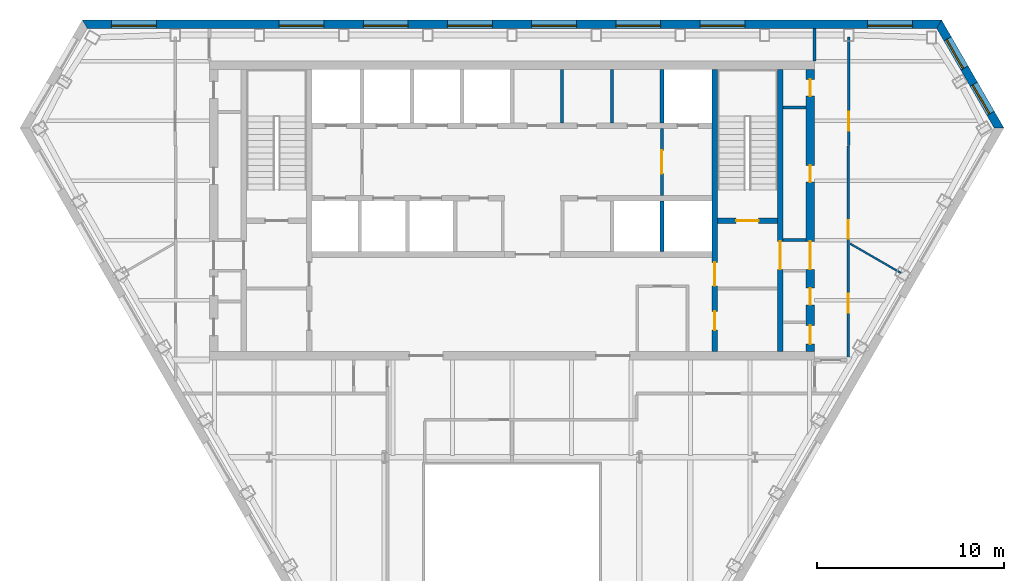
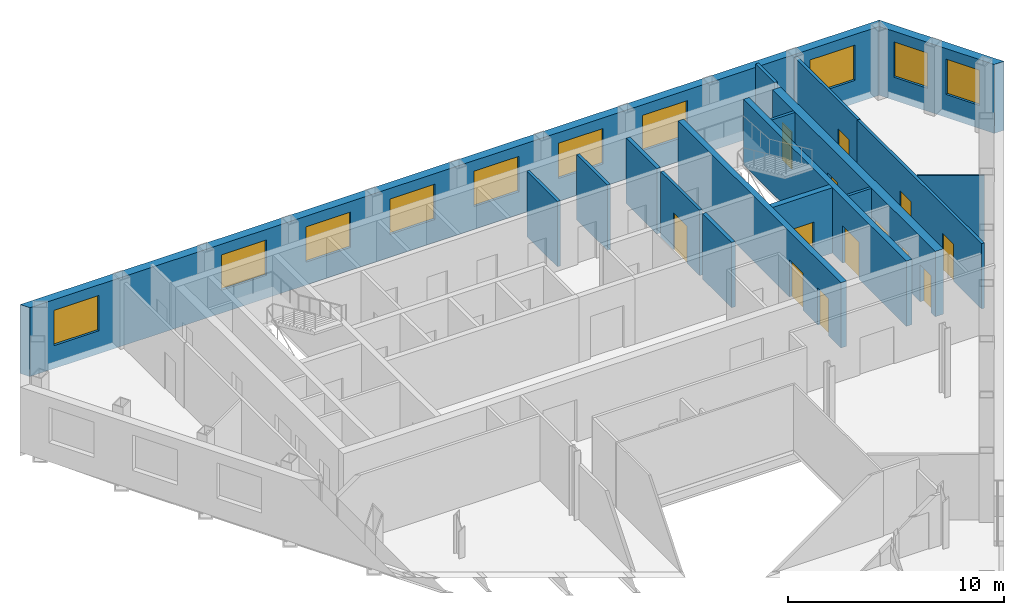
# One storey, part 7 of 10: 17 walls, 13 doors, 10 windows, 23 openings.
"""IFC4 building model written with IfcOpenShell, lengths in metres."""

import ifcopenshell
import ifcopenshell.guid

model = None  # the IFC model being written
_history = None  # IfcOwnerHistory: only IFC2X3 demands one
_inside = {}  # id of a spatial element -> (the spatial element, [elements in it])
_under = {}  # id of a project, library or spatial element -> (it, [spatial elements below it])
_declared = {}  # id of a project -> (the project, [libraries it declares])
_typed = {}  # id of a type object -> (the type object, [elements of that type])
_made_of = {}  # id of a material, layer set ... -> (it, [elements and type objects made of it])


def new_model(schema):
    """Start an empty IFC model of exactly this schema.

    Asked for "IFC4X3", IfcOpenShell would pick the latest addendum, in which some entities
    have other attributes; the version numbers below select the first issue.
    IFC2X3 requires an IfcOwnerHistory on every rooted entity: one is made here for all.
    """
    global model, _history
    if schema == "IFC4X3":
        model = ifcopenshell.file(schema_version=(4, 3, 0, 0))
    else:
        model = ifcopenshell.file(schema=schema)
    _inside.clear()
    _under.clear()
    _declared.clear()
    _typed.clear()
    _made_of.clear()
    _history = None
    if model.schema == "IFC2X3":
        org = make("IfcOrganization", Name="unknown")
        user = make(
            "IfcPersonAndOrganization",
            ThePerson=make("IfcPerson", FamilyName="unknown"),
            TheOrganization=org,
        )
        app = make(
            "IfcApplication",
            ApplicationDeveloper=org,
            Version="unknown",
            ApplicationFullName="unknown",
            ApplicationIdentifier="unknown",
        )
        _history = make(
            "IfcOwnerHistory",
            OwningUser=user,
            OwningApplication=app,
            ChangeAction="ADDED",
            CreationDate=0,
        )
    return model


def make(cls, **values):
    """One entity of the class cls with the attributes given. An attribute that is None is left unset."""
    return model.create_entity(
        cls, **{name: value for name, value in values.items() if value is not None}
    )


def rooted(cls, **values):
    """An entity with a GlobalId (a new one), such as an element, a storey or a relation."""
    return make(cls, GlobalId=ifcopenshell.guid.new(), OwnerHistory=_history, **values)


def si_unit(unit_type, name, prefix=None):
    """IfcSIUnit, for example si_unit("LENGTHUNIT", "METRE", prefix="MILLI")."""
    return make("IfcSIUnit", UnitType=unit_type, Prefix=prefix, Name=name)


def assignment(units):
    """IfcUnitAssignment: the units of a project."""
    return None if units is None else make("IfcUnitAssignment", Units=units)


def point(xyz):
    """IfcCartesianPoint."""
    return None if xyz is None else make("IfcCartesianPoint", Coordinates=xyz)


def direction(xyz):
    """IfcDirection."""
    return None if xyz is None else make("IfcDirection", DirectionRatios=xyz)


def frame(location, z_axis=None, x_axis=None):
    """IfcAxis2Placement3D, a coordinate frame: its origin and axes. An axis left out is left unset."""
    return make(
        "IfcAxis2Placement3D",
        Location=point(location),
        Axis=direction(z_axis),
        RefDirection=direction(x_axis),
    )


def frame_2d(location, x_axis=None):
    """IfcAxis2Placement2D, a coordinate frame in the plane: its origin and x axis."""
    return make(
        "IfcAxis2Placement2D", Location=point(location), RefDirection=direction(x_axis)
    )


def origin():
    """The frame at (0, 0, 0) with its axes left unset."""
    return frame((0.0, 0.0, 0.0))


def place(relative_to, where):
    """IfcLocalPlacement: puts the frame where relative to a parent placement (None: the world)."""
    return make(
        "IfcLocalPlacement", PlacementRelTo=relative_to, RelativePlacement=where
    )


def context(
    kind, dimensions, precision=None, world=None, true_north=None, identifier=None
):
    """IfcGeometricRepresentationContext, for example the 3D "Model" context."""
    return make(
        "IfcGeometricRepresentationContext",
        ContextIdentifier=identifier,
        ContextType=kind,
        CoordinateSpaceDimension=dimensions,
        Precision=precision,
        WorldCoordinateSystem=world,
        TrueNorth=true_north,
    )


def subcontext(parent, identifier, kind, view, scale=None):
    """IfcGeometricRepresentationSubContext, for example "Body" below "Model"."""
    return make(
        "IfcGeometricRepresentationSubContext",
        ContextIdentifier=identifier,
        ContextType=kind,
        ParentContext=parent,
        TargetScale=scale,
        TargetView=view,
    )


def project(units=None, contexts=None):
    """IfcProject with its units and contexts."""
    return rooted(
        "IfcProject",
        Name="project",
        RepresentationContexts=contexts,
        UnitsInContext=assignment(units),
    )


def spatial(cls, under=None, at=None, **own):
    """A site, building, storey or space (cls), placed at a placement, below another one or the project."""
    s = rooted(cls, ObjectPlacement=at, **own)
    if under is not None:
        _under.setdefault(under.id(), (under, []))[1].append(s)
    return s


def polyline(points):
    """IfcPolyline through the points."""
    return make("IfcPolyline", Points=[point(p) for p in points])


def profile(cls, at=None, kind="AREA", **sizes):
    """A parametric profile (cls). Its sizes go by their IFC names, for example OverallWidth=200.0."""
    return make(cls, ProfileType=kind, Position=at, **sizes)


def rectangle(**sizes):
    """IfcRectangleProfileDef."""
    return profile("IfcRectangleProfileDef", **sizes)


def outline(outer, holes=None, kind="AREA"):
    """IfcArbitraryClosedProfileDef: a profile drawn as a closed curve; with holes, ...WithVoids."""
    if holes is None:
        return make("IfcArbitraryClosedProfileDef", ProfileType=kind, OuterCurve=outer)
    return make(
        "IfcArbitraryProfileDefWithVoids",
        ProfileType=kind,
        OuterCurve=outer,
        InnerCurves=holes,
    )


def extrude(swept, where, along, depth):
    """IfcExtrudedAreaSolid: the profile swept, set in the frame where, extruded along a direction by depth."""
    return make(
        "IfcExtrudedAreaSolid",
        SweptArea=swept,
        Position=where,
        ExtrudedDirection=direction(along),
        Depth=depth,
    )


def shape(context_of_items, identifier, shape_type, items):
    """IfcShapeRepresentation: the items that make up one representation, for example the "Body"."""
    return make(
        "IfcShapeRepresentation",
        ContextOfItems=context_of_items,
        RepresentationIdentifier=identifier,
        RepresentationType=shape_type,
        Items=items,
    )


def material(Name=None, Category=None):
    """IfcMaterial."""
    return make("IfcMaterial", Name=Name, Category=Category)


def layer(
    of_material, thickness, ventilated=None, Name=None, Category=None, Priority=None
):
    """IfcMaterialLayer: one layer of a wall or slab, of a material (None: an air gap)."""
    return make(
        "IfcMaterialLayer",
        Material=of_material,
        LayerThickness=thickness,
        IsVentilated=ventilated,
        Name=Name,
        Category=Category,
        Priority=Priority,
    )


def layer_set(layers, Name=None):
    """IfcMaterialLayerSet."""
    return make("IfcMaterialLayerSet", MaterialLayers=layers, LayerSetName=Name)


def made_of(thing, what):
    """Note that an element or type object is made of a material, layer set ...; save() writes the relation."""
    if what is not None:
        _made_of.setdefault(what.id(), (what, []))[1].append(thing)
    return thing


def type_object(cls, material=None, **own):
    """A type object (cls), such as IfcWallType, which elements share."""
    return made_of(rooted(cls, **own), material)


def element(
    cls,
    number,
    at=None,
    inside=None,
    cuts=None,
    type_object=None,
    material=None,
    context=None,
    identifier="Body",
    shape_type=None,
    held_by="IfcProductDefinitionShape",
    body=None,
    shapes=None,
    **own,
):
    """One element of the class cls, such as IfcWall. Its Tag is "e" and its number.

    at: its placement. inside: the storey or other place that contains it. cuts: it is an
    opening in that element (IfcRelVoidsElement). A single representation is given by context,
    identifier, shape_type and body (its items); several are given by shapes. held_by: the class
    of the entity that holds the representations. save() writes the other relations.
    """
    e = rooted(cls, Tag="e%d" % number, ObjectPlacement=at, **own)
    if body is not None:
        shapes = [shape(context, identifier, shape_type, body)]
    if shapes is not None:
        e.Representation = make(held_by, Representations=shapes)
    if inside is not None:
        _inside.setdefault(inside.id(), (inside, []))[1].append(e)
    if cuts is not None:
        rooted(
            "IfcRelVoidsElement", RelatingBuildingElement=cuts, RelatedOpeningElement=e
        )
    if type_object is not None:
        _typed.setdefault(type_object.id(), (type_object, []))[1].append(e)
    return made_of(e, material)


def fill(opening, filler):
    """IfcRelFillsElement: the door or window that sits in an opening."""
    return rooted(
        "IfcRelFillsElement",
        RelatingOpeningElement=opening,
        RelatedBuildingElement=filler,
    )


def aggregate(whole, parts):
    """IfcRelAggregates: a whole, such as a stair, and the parts it consists of."""
    return rooted("IfcRelAggregates", RelatingObject=whole, RelatedObjects=parts)


def save(model, path):
    """Write the relations noted so far, then the file.

    IfcRelAggregates (storeys below a building ...), IfcRelContainedInSpatialStructure (elements
    in a storey), IfcRelDefinesByType, IfcRelAssociatesMaterial and IfcRelDeclares: one each for
    every whole, place, type object, material and project.
    """
    for whole, parts in _under.values():
        aggregate(whole, parts)
    for where, things in _inside.values():
        rooted(
            "IfcRelContainedInSpatialStructure",
            RelatedElements=things,
            RelatingStructure=where,
        )
    for kind, things in _typed.values():
        rooted("IfcRelDefinesByType", RelatedObjects=things, RelatingType=kind)
    for what, things in _made_of.values():
        rooted("IfcRelAssociatesMaterial", RelatedObjects=things, RelatingMaterial=what)
    for by, libraries in _declared.values():
        rooted("IfcRelDeclares", RelatingContext=by, RelatedDefinitions=libraries)
    model.write(path)


model = new_model("IFC4")

# Units and contexts
model_context = context("Model", 3, precision=1e-05, world=origin(), true_north=direction((0.0, 1.0)))
body_context = subcontext(model_context, "Body", "Model", "MODEL_VIEW")
ifc_project = project(units=[si_unit("LENGTHUNIT", "METRE"), si_unit("AREAUNIT", "SQUARE_METRE"), si_unit("VOLUMEUNIT", "CUBIC_METRE"), si_unit("PLANEANGLEUNIT", "RADIAN"), si_unit("MASSUNIT", "GRAM", prefix="KILO")], contexts=[model_context])

# Site, building, storey
site_placement = place(None, origin())
site = spatial("IfcSite", under=ifc_project, at=site_placement, CompositionType="ELEMENT")
building_placement = place(site_placement, origin())
building = spatial("IfcBuilding", under=site, at=building_placement, Name="Njiva Tower", CompositionType="ELEMENT")
storey_placement = place(building_placement, frame((0.0, 0.0, 227.7)))
storey = spatial("IfcBuildingStorey", under=building, at=storey_placement, Name="L51", CompositionType="ELEMENT", Elevation=227.7)

# Walls
ifc_material_1 = material(Name="Blockwork", Category="masonry")
ifc_layer_1 = layer(ifc_material_1, 0.15)
ifc_layer_set_1 = layer_set([ifc_layer_1], Name="Blockwork")
wall_type_1 = type_object("IfcWallType", Name="WT1 Compartment partition 150", PredefinedType="PARTITIONING", material=ifc_layer_set_1)
for number, where, z_axis, x_axis, name in (
    (1, (2.675, 14.7, 0.0), (0.0, 0.0, 1.0), (0.0, 1.0, 0.0), "Partition CN5"),
    (2, (5.35, 14.7, 0.0), (0.0, 0.0, 1.0), (0.0, 1.0, 0.0), "Partition CN6"),
):
    element("IfcWall", number, at=place(storey_placement, frame(where, z_axis=z_axis, x_axis=x_axis)), inside=storey, type_object=wall_type_1, Name=name, PredefinedType="PARTITIONING", context=body_context, shape_type="SweptSolid", body=[
        extrude(rectangle(XDim=2.85, YDim=0.15, at=frame_2d((1.425, 0.0))), origin(), (0.0, 0.0, 1.0), 3.7),
    ])

# Wall, openings, doors
ifc_material_2 = material(Name="Concrete C40/50", Category="concrete")
ifc_layer_2 = layer(ifc_material_2, 0.3)
ifc_layer_set_2 = layer_set([ifc_layer_2], Name="Concrete C40/50")
wall_type_2 = type_object("IfcWallType", Name="WT10 Stair enclosure wall 300", PredefinedType="SHEAR", material=ifc_layer_set_2)
wall_1_placement = place(storey_placement, frame((10.85, 2.45, 0.0), z_axis=(0.0, 0.0, 1.0), x_axis=(0.0, 1.0, 0.0)))
wall_1 = element("IfcWall", 3, at=wall_1_placement, inside=storey, type_object=wall_type_2, Name="Stair wall east inner", PredefinedType="SHEAR", context=body_context, shape_type="SweptSolid", body=[
    extrude(rectangle(XDim=15.1, YDim=0.3, at=frame_2d((7.55, 0.0))), origin(), (0.0, 0.0, 1.0), 3.7),
])
opening_1_placement = place(wall_1_placement, frame((3.525, 0.0, 0.0)))
opening_1 = element("IfcOpeningElement", 4, at=opening_1_placement, cuts=wall_1, Name="Opening S17-D920", PredefinedType="OPENING", context=body_context, shape_type="SweptSolid", body=[
    extrude(rectangle(XDim=1.25, YDim=2.1, at=frame_2d((0.625, 1.05))), frame((0.0, 0.16, 0.0), z_axis=(0.0, -1.0, 0.0), x_axis=(1.0, 0.0, 0.0)), (0.0, 0.0, 1.0), 0.32),
])
opening_2_placement = place(wall_1_placement, frame((1.15, 0.0, 0.0)))
opening_2 = element("IfcOpeningElement", 5, at=opening_2_placement, cuts=wall_1, Name="Opening S17-D921", PredefinedType="OPENING", context=body_context, shape_type="SweptSolid", body=[
    extrude(rectangle(XDim=1.0, YDim=2.1, at=frame_2d((0.5, 1.05))), frame((0.0, 0.16, 0.0), z_axis=(0.0, -1.0, 0.0), x_axis=(1.0, 0.0, 0.0)), (0.0, 0.0, 1.0), 0.32),
])
ifc_material_3 = material(Name="Steel door, painted", Category="steel")
door_type_1 = type_object("IfcDoorType", Name="D5 Steel door 1000x2100", OperationType="SINGLE_SWING_LEFT", PredefinedType="DOOR", material=ifc_material_3)
door_1_placement = place(opening_2_placement, origin())
door_1 = element("IfcDoor", 6, at=door_1_placement, inside=storey, type_object=door_type_1, Name="Meeting room door", OperationType="SINGLE_SWING_LEFT", OverallHeight=2.1, OverallWidth=1.0, PredefinedType="DOOR", context=body_context, shape_type="SweptSolid", body=[
    extrude(rectangle(XDim=1.0, YDim=2.1, at=frame_2d((0.5, 1.05))), frame((0.0, 0.025, 0.0), z_axis=(0.0, -1.0, 0.0), x_axis=(1.0, 0.0, 0.0)), (0.0, 0.0, 1.0), 0.05),
])
fill(opening_2, door_1)
ifc_material_4 = material(Name="Glazed steel fire door", Category="steel")
door_type_2 = type_object("IfcDoorType", Name="D8 Vestibule corridor door 1250x2100 glazed", OperationType="SINGLE_SWING_LEFT", PredefinedType="DOOR", material=ifc_material_4)
door_2_placement = place(opening_1_placement, origin())
door_2 = element("IfcDoor", 7, at=door_2_placement, inside=storey, type_object=door_type_2, Name="Stair vestibule corridor door", OperationType="SINGLE_SWING_RIGHT", OverallHeight=2.1, OverallWidth=1.25, PredefinedType="DOOR", context=body_context, shape_type="SweptSolid", body=[
    extrude(rectangle(XDim=1.25, YDim=2.1, at=frame_2d((0.625, 1.05))), frame((0.0, 0.025, 0.0), z_axis=(0.0, -1.0, 0.0), x_axis=(1.0, 0.0, 0.0)), (0.0, 0.0, 1.0), 0.05),
])
fill(opening_1, door_2)

# Wall, opening, door
wall_2_placement = place(storey_placement, frame((14.35, 2.45, 0.0), z_axis=(0.0, 0.0, 1.0), x_axis=(0.0, 1.0, 0.0)))
wall_2 = element("IfcWall", 8, at=wall_2_placement, inside=storey, type_object=wall_type_2, Name="Stair wall east outer", PredefinedType="SHEAR", context=body_context, shape_type="SweptSolid", body=[
    extrude(rectangle(XDim=15.1, YDim=0.3, at=frame_2d((7.55, 0.0))), origin(), (0.0, 0.0, 1.0), 3.7),
])
opening_3_placement = place(wall_2_placement, frame((4.4, 0.0, 0.0)))
opening_3 = element("IfcOpeningElement", 9, at=opening_3_placement, cuts=wall_2, Name="Opening S17-D928", PredefinedType="OPENING", context=body_context, shape_type="SweptSolid", body=[
    extrude(rectangle(XDim=1.5, YDim=2.1, at=frame_2d((0.75, 1.05))), frame((0.0, 0.16, 0.0), z_axis=(0.0, -1.0, 0.0), x_axis=(1.0, 0.0, 0.0)), (0.0, 0.0, 1.0), 0.32),
])
door_type_3 = type_object("IfcDoorType", Name="D10 Exit door double 1500x2100 glazed", OperationType="DOUBLE_DOOR_SINGLE_SWING", PredefinedType="DOOR", material=ifc_material_4)
door_3_placement = place(opening_3_placement, origin())
door_3 = element("IfcDoor", 10, at=door_3_placement, inside=storey, type_object=door_type_3, Name="Stair B passage door", OperationType="DOUBLE_DOOR_SINGLE_SWING", OverallHeight=2.1, OverallWidth=1.5, PredefinedType="DOOR", context=body_context, shape_type="SweptSolid", body=[
    extrude(rectangle(XDim=1.5, YDim=2.1, at=frame_2d((0.75, 1.05))), frame((0.0, 0.025, 0.0), z_axis=(0.0, -1.0, 0.0), x_axis=(1.0, 0.0, 0.0)), (0.0, 0.0, 1.0), 0.05),
])
fill(opening_3, door_3)

wall_3_placement = place(storey_placement, frame((11.0, 9.45, 0.0), z_axis=(0.0, 0.0, 1.0), x_axis=(1.0, 0.0, 0.0)))
wall_3 = element("IfcWall", 11, at=wall_3_placement, inside=storey, type_object=wall_type_2, Name="Stair B south wall", PredefinedType="SHEAR", context=body_context, shape_type="SweptSolid", body=[
    extrude(rectangle(XDim=3.2, YDim=0.3, at=frame_2d((1.6, 0.0))), origin(), (0.0, 0.0, 1.0), 3.7),
])
opening_4_placement = place(wall_3_placement, frame((1.0, 0.0, 0.0)))
opening_4 = element("IfcOpeningElement", 12, at=opening_4_placement, cuts=wall_3, Name="Opening S17-D919", PredefinedType="OPENING", context=body_context, shape_type="SweptSolid", body=[
    extrude(rectangle(XDim=1.2, YDim=2.1, at=frame_2d((0.6, 1.05))), frame((0.0, 0.16, 0.0), z_axis=(0.0, -1.0, 0.0), x_axis=(1.0, 0.0, 0.0)), (0.0, 0.0, 1.0), 0.32),
])
door_type_4 = type_object("IfcDoorType", Name="D7 Stair vestibule door 1200x2100 glazed", OperationType="SINGLE_SWING_LEFT", PredefinedType="DOOR", material=ifc_material_4)
door_4_placement = place(opening_4_placement, origin())
door_4 = element("IfcDoor", 13, at=door_4_placement, inside=storey, type_object=door_type_4, Name="Stair B door", OperationType="SINGLE_SWING_LEFT", OverallHeight=2.1, OverallWidth=1.2, PredefinedType="DOOR", context=body_context, shape_type="SweptSolid", body=[
    extrude(rectangle(XDim=1.2, YDim=2.1, at=frame_2d((0.6, 1.05))), frame((0.0, 0.025, 0.0), z_axis=(0.0, -1.0, 0.0), x_axis=(1.0, 0.0, 0.0)), (0.0, 0.0, 1.0), 0.05),
])
fill(opening_4, door_4)

# Wall, openings, doors
ifc_material_5 = material(Name="Concrete C60/75", Category="concrete")
ifc_layer_3 = layer(ifc_material_5, 0.45)
ifc_layer_set_3 = layer_set([ifc_layer_3], Name="Concrete C60/75")
wall_type_3 = type_object("IfcWallType", Name="WT12 Core wall 450", PredefinedType="SHEAR", material=ifc_layer_set_3)
wall_4_placement = place(storey_placement, frame((15.975, 2.45, 0.0), z_axis=(0.0, 0.0, 1.0), x_axis=(0.0, 1.0, 0.0)))
wall_4 = element("IfcWall", 14, at=wall_4_placement, inside=storey, type_object=wall_type_3, Name="Core wall east", PredefinedType="SHEAR", context=body_context, shape_type="SweptSolid", body=[
    extrude(rectangle(XDim=15.1, YDim=0.45, at=frame_2d((7.55, 0.0))), origin(), (0.0, 0.0, 1.0), 3.7),
])
opening_5_placement = place(wall_4_placement, frame((4.4, 0.0, 0.0)))
opening_5 = element("IfcOpeningElement", 15, at=opening_5_placement, cuts=wall_4, Name="Opening S17-D929", PredefinedType="OPENING", context=body_context, shape_type="SweptSolid", body=[
    extrude(rectangle(XDim=1.5, YDim=2.1, at=frame_2d((0.75, 1.05))), frame((0.0, 0.235, 0.0), z_axis=(0.0, -1.0, 0.0), x_axis=(1.0, 0.0, 0.0)), (0.0, 0.0, 1.0), 0.47),
])
opening_6_placement = place(wall_4_placement, frame((0.4, 0.0, 0.0)))
opening_6 = element("IfcOpeningElement", 16, at=opening_6_placement, cuts=wall_4, Name="Opening S17-D930", PredefinedType="OPENING", context=body_context, shape_type="SweptSolid", body=[
    extrude(rectangle(XDim=1.0, YDim=2.1, at=frame_2d((0.5, 1.05))), frame((0.0, 0.235, 0.0), z_axis=(0.0, -1.0, 0.0), x_axis=(1.0, 0.0, 0.0)), (0.0, 0.0, 1.0), 0.47),
])
opening_7_placement = place(wall_4_placement, frame((2.5, 0.0, 0.0)))
opening_7 = element("IfcOpeningElement", 17, at=opening_7_placement, cuts=wall_4, Name="Opening S17-D931", PredefinedType="OPENING", context=body_context, shape_type="SweptSolid", body=[
    extrude(rectangle(XDim=0.9, YDim=2.1, at=frame_2d((0.45, 1.05))), frame((0.0, 0.235, 0.0), z_axis=(0.0, -1.0, 0.0), x_axis=(1.0, 0.0, 0.0)), (0.0, 0.0, 1.0), 0.47),
])
opening_8_placement = place(wall_4_placement, frame((9.0707, 0.0, 0.0)))
opening_8 = element("IfcOpeningElement", 18, at=opening_8_placement, cuts=wall_4, Name="Opening S17-D932", PredefinedType="OPENING", context=body_context, shape_type="SweptSolid", body=[
    extrude(rectangle(XDim=0.9, YDim=2.1, at=frame_2d((0.45, 1.05))), frame((0.0, 0.235, 0.0), z_axis=(0.0, -1.0, 0.0), x_axis=(1.0, 0.0, 0.0)), (0.0, 0.0, 1.0), 0.47),
])
opening_9_placement = place(wall_4_placement, frame((13.6707, 0.0, 0.0)))
opening_9 = element("IfcOpeningElement", 19, at=opening_9_placement, cuts=wall_4, Name="Opening S17-D933", PredefinedType="OPENING", context=body_context, shape_type="SweptSolid", body=[
    extrude(rectangle(XDim=0.9, YDim=2.1, at=frame_2d((0.45, 1.05))), frame((0.0, 0.235, 0.0), z_axis=(0.0, -1.0, 0.0), x_axis=(1.0, 0.0, 0.0)), (0.0, 0.0, 1.0), 0.47),
])
door_5_placement = place(opening_5_placement, origin())
door_5 = element("IfcDoor", 20, at=door_5_placement, inside=storey, type_object=door_type_3, Name="Stair B corridor door", OperationType="DOUBLE_DOOR_SINGLE_SWING", OverallHeight=2.1, OverallWidth=1.5, PredefinedType="DOOR", context=body_context, shape_type="SweptSolid", body=[
    extrude(rectangle(XDim=1.5, YDim=2.1, at=frame_2d((0.75, 1.05))), frame((0.0, 0.025, 0.0), z_axis=(0.0, -1.0, 0.0), x_axis=(1.0, 0.0, 0.0)), (0.0, 0.0, 1.0), 0.05),
])
fill(opening_5, door_5)
door_type_5 = type_object("IfcDoorType", Name="D4 Riser door 900x2100", OperationType="SINGLE_SWING_LEFT", PredefinedType="DOOR", material=ifc_material_3)
door_6_placement = place(opening_9_placement, origin())
door_6 = element("IfcDoor", 21, at=door_6_placement, inside=storey, type_object=door_type_5, Name="Cable riser door", OperationType="SINGLE_SWING_RIGHT", OverallHeight=2.1, OverallWidth=0.9, PredefinedType="DOOR", context=body_context, shape_type="SweptSolid", body=[
    extrude(rectangle(XDim=0.9, YDim=2.1, at=frame_2d((0.45, 1.05))), frame((0.0, 0.025, 0.0), z_axis=(0.0, -1.0, 0.0), x_axis=(1.0, 0.0, 0.0)), (0.0, 0.0, 1.0), 0.05),
])
fill(opening_9, door_6)
door_7_placement = place(opening_6_placement, origin())
door_7 = element("IfcDoor", 22, at=door_7_placement, inside=storey, type_object=door_type_1, Name="Telecoms room door", OperationType="SINGLE_SWING_LEFT", OverallHeight=2.1, OverallWidth=1.0, PredefinedType="DOOR", context=body_context, shape_type="SweptSolid", body=[
    extrude(rectangle(XDim=1.0, YDim=2.1, at=frame_2d((0.5, 1.05))), frame((0.0, 0.025, 0.0), z_axis=(0.0, -1.0, 0.0), x_axis=(1.0, 0.0, 0.0)), (0.0, 0.0, 1.0), 0.05),
])
fill(opening_6, door_7)
ifc_material_6 = material(Name="Steel fire door, painted", Category="steel")
door_type_6 = type_object("IfcDoorType", Name="D6 Fire-rated door 900x2100", OperationType="SINGLE_SWING_LEFT", PredefinedType="DOOR", material=ifc_material_6)
door_8_placement = place(opening_7_placement, origin())
door_8 = element("IfcDoor", 23, at=door_8_placement, inside=storey, type_object=door_type_6, Name="Cable store door", OperationType="SINGLE_SWING_LEFT", OverallHeight=2.1, OverallWidth=0.9, PredefinedType="DOOR", context=body_context, shape_type="SweptSolid", body=[
    extrude(rectangle(XDim=0.9, YDim=2.1, at=frame_2d((0.45, 1.05))), frame((0.0, 0.025, 0.0), z_axis=(0.0, -1.0, 0.0), x_axis=(1.0, 0.0, 0.0)), (0.0, 0.0, 1.0), 0.05),
])
fill(opening_7, door_8)
door_9_placement = place(opening_8_placement, origin())
door_9 = element("IfcDoor", 24, at=door_9_placement, inside=storey, type_object=door_type_6, Name="Cable store door", OperationType="SINGLE_SWING_RIGHT", OverallHeight=2.1, OverallWidth=0.9, PredefinedType="DOOR", context=body_context, shape_type="SweptSolid", body=[
    extrude(rectangle(XDim=0.9, YDim=2.1, at=frame_2d((0.45, 1.05))), frame((0.0, 0.025, 0.0), z_axis=(0.0, -1.0, 0.0), x_axis=(1.0, 0.0, 0.0)), (0.0, 0.0, 1.0), 0.05),
])
fill(opening_8, door_9)

# Wall, opening, door
ifc_layer_4 = layer(ifc_material_1, 0.15)
ifc_layer_set_4 = layer_set([ifc_layer_4], Name="Blockwork")
wall_type_4 = type_object("IfcWallType", Name="WT2 Lobby partition 150", PredefinedType="PARTITIONING", material=ifc_layer_set_4)
wall_5_placement = place(storey_placement, frame((8.025, 10.8, 0.0), z_axis=(0.0, 0.0, 1.0), x_axis=(0.0, 1.0, 0.0)))
wall_5 = element("IfcWall", 25, at=wall_5_placement, inside=storey, type_object=wall_type_4, Name="Firefighting lobby wall B", PredefinedType="PARTITIONING", context=body_context, shape_type="SweptSolid", body=[
    extrude(rectangle(XDim=3.6, YDim=0.15, at=frame_2d((1.8, 0.0))), origin(), (0.0, 0.0, 1.0), 3.7),
])
opening_10_placement = place(wall_5_placement, frame((1.175, 0.0, 0.0)))
opening_10 = element("IfcOpeningElement", 26, at=opening_10_placement, cuts=wall_5, Name="Opening S17-D918", PredefinedType="OPENING", context=body_context, shape_type="SweptSolid", body=[
    extrude(rectangle(XDim=1.25, YDim=2.1, at=frame_2d((0.625, 1.05))), frame((0.0, 0.085, 0.0), z_axis=(0.0, -1.0, 0.0), x_axis=(1.0, 0.0, 0.0)), (0.0, 0.0, 1.0), 0.17),
])
door_10_placement = place(opening_10_placement, origin())
door_10 = element("IfcDoor", 27, at=door_10_placement, inside=storey, type_object=door_type_2, Name="Stair vestibule corridor door", OperationType="SINGLE_SWING_LEFT", OverallHeight=2.1, OverallWidth=1.25, PredefinedType="DOOR", context=body_context, shape_type="SweptSolid", body=[
    extrude(rectangle(XDim=1.25, YDim=2.1, at=frame_2d((0.625, 1.05))), frame((0.0, 0.025, 0.0), z_axis=(0.0, -1.0, 0.0), x_axis=(1.0, 0.0, 0.0)), (0.0, 0.0, 1.0), 0.05),
])
fill(opening_10, door_10)

# Walls
ifc_material_7 = material(Name="Gypsum board on steel studs", Category="gypsum")
ifc_layer_5 = layer(ifc_material_7, 0.1)
ifc_layer_set_5 = layer_set([ifc_layer_5], Name="Gypsum board on steel studs")
wall_type_5 = type_object("IfcWallType", Name="WT20 Gypsum partition 100", PredefinedType="PARTITIONING", material=ifc_layer_set_5)
wall_6_placement = place(storey_placement, frame((18.1, 8.229, 0.0), z_axis=(0.0, 0.0, 1.0), x_axis=(0.866058244174, -0.499943114462, 0.0)))
element("IfcWall", 28, at=wall_6_placement, inside=storey, type_object=wall_type_5, Name="Partition S17-P028", PredefinedType="PARTITIONING", context=body_context, shape_type="SweptSolid", body=[
    extrude(rectangle(XDim=3.1384, YDim=0.1, at=frame_2d((1.5692, 0.0))), origin(), (0.0, 0.0, 1.0), 3.7),
])
ifc_layer_6 = layer(ifc_material_7, 0.15)
ifc_layer_set_6 = layer_set([ifc_layer_6], Name="Gypsum board on steel studs")
wall_type_6 = type_object("IfcWallType", Name="WT21 Compartment wall 150", PredefinedType="PARTITIONING", material=ifc_layer_set_6)
wall_7_placement = place(storey_placement, frame((16.2, 18.0, 0.0), z_axis=(0.0, 0.0, 1.0), x_axis=(0.0, 1.0, 0.0)))
element("IfcWall", 29, at=wall_7_placement, inside=storey, type_object=wall_type_6, Name="Partition S17-P025", PredefinedType="PARTITIONING", context=body_context, shape_type="SweptSolid", body=[
    extrude(rectangle(XDim=1.75, YDim=0.15, at=frame_2d((0.875, 0.0))), origin(), (0.0, 0.0, 1.0), 3.7),
])

# Wall, openings, doors
wall_8_placement = place(storey_placement, frame((18.0, 1.925, 0.0), z_axis=(0.0, 0.0, 1.0), x_axis=(0.0, 1.0, 0.0)))
wall_8 = element("IfcWall", 30, at=wall_8_placement, inside=storey, type_object=wall_type_6, Name="Partition S17-P026", PredefinedType="PARTITIONING", context=body_context, shape_type="SweptSolid", body=[
    extrude(rectangle(XDim=11.533, YDim=0.15, at=frame_2d((5.7665, 0.0))), origin(), (0.0, 0.0, 1.0), 3.7),
])
opening_11_placement = place(wall_8_placement, frame((2.609, 0.0, 0.0)))
opening_11 = element("IfcOpeningElement", 31, at=opening_11_placement, cuts=wall_8, Name="Opening S17-D016", PredefinedType="OPENING", context=body_context, shape_type="SweptSolid", body=[
    extrude(rectangle(XDim=1.0, YDim=2.1, at=frame_2d((0.5, 1.05))), frame((0.0, 0.085, 0.0), z_axis=(0.0, -1.0, 0.0), x_axis=(1.0, 0.0, 0.0)), (0.0, 0.0, 1.0), 0.17),
])
opening_12_placement = place(wall_8_placement, frame((6.562, 0.0, 0.0)))
opening_12 = element("IfcOpeningElement", 32, at=opening_12_placement, cuts=wall_8, Name="Opening S17-D017", PredefinedType="OPENING", context=body_context, shape_type="SweptSolid", body=[
    extrude(rectangle(XDim=1.0, YDim=2.1, at=frame_2d((0.5, 1.05))), frame((0.0, 0.085, 0.0), z_axis=(0.0, -1.0, 0.0), x_axis=(1.0, 0.0, 0.0)), (0.0, 0.0, 1.0), 0.17),
])
ifc_material_8 = material(Name="Steel fire door set", Category="steel")
door_type_7 = type_object("IfcDoorType", Name="D37 Fire door 1000x2100", OperationType="SINGLE_SWING_LEFT", PredefinedType="DOOR", material=ifc_material_8)
door_11_placement = place(opening_11_placement, origin())
door_11 = element("IfcDoor", 33, at=door_11_placement, inside=storey, type_object=door_type_7, Name="Door S17-D016", OperationType="SINGLE_SWING_LEFT", OverallHeight=2.1, OverallWidth=1.0, PredefinedType="DOOR", context=body_context, shape_type="SweptSolid", body=[
    extrude(rectangle(XDim=1.0, YDim=2.1, at=frame_2d((0.5, 1.05))), frame((0.0, 0.025, 0.0), z_axis=(0.0, -1.0, 0.0), x_axis=(1.0, 0.0, 0.0)), (0.0, 0.0, 1.0), 0.05),
])
fill(opening_11, door_11)
door_12_placement = place(opening_12_placement, origin())
door_12 = element("IfcDoor", 34, at=door_12_placement, inside=storey, type_object=door_type_7, Name="Door S17-D017", OperationType="SINGLE_SWING_RIGHT", OverallHeight=2.1, OverallWidth=1.0, PredefinedType="DOOR", context=body_context, shape_type="SweptSolid", body=[
    extrude(rectangle(XDim=1.0, YDim=2.1, at=frame_2d((0.5, 1.05))), frame((0.0, 0.025, 0.0), z_axis=(0.0, -1.0, 0.0), x_axis=(1.0, 0.0, 0.0)), (0.0, 0.0, 1.0), 0.05),
])
fill(opening_12, door_12)

# Wall, opening, door
wall_9_placement = place(storey_placement, frame((18.027, 13.476, 0.0), z_axis=(0.0, 0.0, 1.0), x_axis=(0.0, 1.0, 0.0)))
wall_9 = element("IfcWall", 35, at=wall_9_placement, inside=storey, type_object=wall_type_6, Name="Partition S17-P027", PredefinedType="PARTITIONING", context=body_context, shape_type="SweptSolid", body=[
    extrude(rectangle(XDim=5.824, YDim=0.15, at=frame_2d((2.912, 0.0))), origin(), (0.0, 0.0, 1.0), 3.7),
])
opening_13_placement = place(wall_9_placement, frame((0.803, 0.0, 0.0)))
opening_13 = element("IfcOpeningElement", 36, at=opening_13_placement, cuts=wall_9, Name="Opening S17-D018", PredefinedType="OPENING", context=body_context, shape_type="SweptSolid", body=[
    extrude(rectangle(XDim=1.0, YDim=2.1, at=frame_2d((0.5, 1.05))), frame((0.0, 0.085, 0.0), z_axis=(0.0, -1.0, 0.0), x_axis=(1.0, 0.0, 0.0)), (0.0, 0.0, 1.0), 0.17),
])
door_13_placement = place(opening_13_placement, origin())
door_13 = element("IfcDoor", 37, at=door_13_placement, inside=storey, type_object=door_type_7, Name="Door S17-D018", OperationType="SINGLE_SWING_LEFT", OverallHeight=2.1, OverallWidth=1.0, PredefinedType="DOOR", context=body_context, shape_type="SweptSolid", body=[
    extrude(rectangle(XDim=1.0, YDim=2.1, at=frame_2d((0.5, 1.05))), frame((0.0, 0.025, 0.0), z_axis=(0.0, -1.0, 0.0), x_axis=(1.0, 0.0, 0.0)), (0.0, 0.0, 1.0), 0.05),
])
fill(opening_13, door_13)

# Walls
ifc_layer_7 = layer(ifc_material_1, 0.15)
ifc_layer_set_7 = layer_set([ifc_layer_7], Name="Blockwork")
wall_type_7 = type_object("IfcWallType", Name="WT3 Riser partition 150", PredefinedType="PARTITIONING", material=ifc_layer_set_7)
wall_10_placement = place(storey_placement, frame((14.5, 15.5163, 0.0), z_axis=(0.0, 0.0, 1.0), x_axis=(1.0, 0.0, 0.0)))
element("IfcWall", 38, at=wall_10_placement, inside=storey, type_object=wall_type_7, Name="Partition strip E10", PredefinedType="PARTITIONING", context=body_context, shape_type="SweptSolid", body=[
    extrude(rectangle(XDim=1.25, YDim=0.15, at=frame_2d((0.625, 0.0))), origin(), (0.0, 0.0, 1.0), 3.7),
])
ifc_layer_8 = layer(ifc_material_1, 0.15)
ifc_layer_set_8 = layer_set([ifc_layer_8], Name="Blockwork")
wall_type_8 = type_object("IfcWallType", Name="WT4 Stair partition 150", PredefinedType="PARTITIONING", material=ifc_layer_set_8)
wall_11_placement = place(storey_placement, frame((14.5, 8.425, 0.0), z_axis=(0.0, 0.0, 1.0), x_axis=(1.0, 0.0, 0.0)))
element("IfcWall", 39, at=wall_11_placement, inside=storey, type_object=wall_type_8, Name="Stair B exit passage wall north", PredefinedType="PARTITIONING", context=body_context, shape_type="SweptSolid", body=[
    extrude(rectangle(XDim=1.25, YDim=0.15, at=frame_2d((0.625, 0.0))), origin(), (0.0, 0.0, 1.0), 3.7),
])
ifc_layer_9 = layer(ifc_material_2, 0.2)
ifc_layer_set_9 = layer_set([ifc_layer_9], Name="Concrete C40/50")
wall_type_9 = type_object("IfcWallType", Name="WT6 Lift shaft wall 200", PredefinedType="SHEAR", material=ifc_layer_set_9)
wall_12_placement = place(storey_placement, frame((8.025, 14.7, 0.0), z_axis=(0.0, 0.0, 1.0), x_axis=(0.0, 1.0, 0.0)))
element("IfcWall", 40, at=wall_12_placement, inside=storey, type_object=wall_type_9, Name="Shaft wall CN7", PredefinedType="SHEAR", context=body_context, shape_type="SweptSolid", body=[
    extrude(rectangle(XDim=2.85, YDim=0.2, at=frame_2d((1.425, 0.0))), origin(), (0.0, 0.0, 1.0), 3.7),
])
wall_13_placement = place(storey_placement, frame((8.0333, 7.8, 0.0), z_axis=(0.0, 0.0, 1.0), x_axis=(0.0, 1.0, 0.0)))
element("IfcWall", 41, at=wall_13_placement, inside=storey, type_object=wall_type_9, Name="Shaft wall CS7", PredefinedType="SHEAR", context=body_context, shape_type="SweptSolid", body=[
    extrude(rectangle(XDim=2.7, YDim=0.2, at=frame_2d((1.35, 0.0))), origin(), (0.0, 0.0, 1.0), 3.7),
])

# Wall, openings, windows
ifc_material_9 = material(Name="Brick masonry", Category="masonry")
ifc_layer_10 = layer(ifc_material_9, 0.45)
ifc_layer_set_10 = layer_set([ifc_layer_10], Name="Brick masonry")
wall_type_10 = type_object("IfcWallType", Name="WT90 Brick pier and spandrel wall 450", PredefinedType="SOLIDWALL", material=ifc_layer_set_10)
wall_14_placement = place(storey_placement, frame((22.8651, 19.975, -0.4), z_axis=(0.0, 0.0, 1.0), x_axis=(-1.0, 0.0, 0.0)))
wall_14 = element("IfcWall", 42, at=wall_14_placement, inside=storey, type_object=wall_type_10, Name="Facade wall N", PredefinedType="SOLIDWALL", context=body_context, shape_type="SweptSolid", body=[
    extrude(outline(polyline([(-0.1299, -0.225), (45.8601, -0.225), (45.6003, 0.225), (0.1299, 0.225), (-0.1299, -0.225)])), origin(), (0.0, 0.0, 1.0), 3.9),
])
opening_14_placement = place(wall_14_placement, frame((1.4237, 0.0, 1.3)))
opening_14 = element("IfcOpeningElement", 43, at=opening_14_placement, cuts=wall_14, Name="Opening S17-W01", PredefinedType="OPENING", context=body_context, shape_type="SweptSolid", body=[
    extrude(rectangle(XDim=2.4, YDim=2.0, at=frame_2d((1.2, 1.0))), frame((0.0, 0.235, 0.0), z_axis=(0.0, -1.0, 0.0), x_axis=(1.0, 0.0, 0.0)), (0.0, 0.0, 1.0), 0.47),
])
opening_15_placement = place(wall_14_placement, frame((10.3985, 0.0, 1.3)))
opening_15 = element("IfcOpeningElement", 44, at=opening_15_placement, cuts=wall_14, Name="Opening S17-W02", PredefinedType="OPENING", context=body_context, shape_type="SweptSolid", body=[
    extrude(rectangle(XDim=2.4, YDim=2.0, at=frame_2d((1.2, 1.0))), frame((0.0, 0.235, 0.0), z_axis=(0.0, -1.0, 0.0), x_axis=(1.0, 0.0, 0.0)), (0.0, 0.0, 1.0), 0.47),
])
opening_16_placement = place(wall_14_placement, frame((14.9052, 0.0, 1.3)))
opening_16 = element("IfcOpeningElement", 45, at=opening_16_placement, cuts=wall_14, Name="Opening S17-W03", PredefinedType="OPENING", context=body_context, shape_type="SweptSolid", body=[
    extrude(rectangle(XDim=2.4, YDim=2.0, at=frame_2d((1.2, 1.0))), frame((0.0, 0.235, 0.0), z_axis=(0.0, -1.0, 0.0), x_axis=(1.0, 0.0, 0.0)), (0.0, 0.0, 1.0), 0.47),
])
opening_17_placement = place(wall_14_placement, frame((19.4118, 0.0, 1.3)))
opening_17 = element("IfcOpeningElement", 46, at=opening_17_placement, cuts=wall_14, Name="Opening S17-W04", PredefinedType="OPENING", context=body_context, shape_type="SweptSolid", body=[
    extrude(rectangle(XDim=2.4, YDim=2.0, at=frame_2d((1.2, 1.0))), frame((0.0, 0.235, 0.0), z_axis=(0.0, -1.0, 0.0), x_axis=(1.0, 0.0, 0.0)), (0.0, 0.0, 1.0), 0.47),
])
opening_18_placement = place(wall_14_placement, frame((23.9184, 0.0, 1.3)))
opening_18 = element("IfcOpeningElement", 47, at=opening_18_placement, cuts=wall_14, Name="Opening S17-W05", PredefinedType="OPENING", context=body_context, shape_type="SweptSolid", body=[
    extrude(rectangle(XDim=2.4, YDim=2.0, at=frame_2d((1.2, 1.0))), frame((0.0, 0.235, 0.0), z_axis=(0.0, -1.0, 0.0), x_axis=(1.0, 0.0, 0.0)), (0.0, 0.0, 1.0), 0.47),
])
opening_19_placement = place(wall_14_placement, frame((28.425, 0.0, 1.3)))
opening_19 = element("IfcOpeningElement", 48, at=opening_19_placement, cuts=wall_14, Name="Opening S17-W06", PredefinedType="OPENING", context=body_context, shape_type="SweptSolid", body=[
    extrude(rectangle(XDim=2.4, YDim=2.0, at=frame_2d((1.2, 1.0))), frame((0.0, 0.235, 0.0), z_axis=(0.0, -1.0, 0.0), x_axis=(1.0, 0.0, 0.0)), (0.0, 0.0, 1.0), 0.47),
])
opening_20_placement = place(wall_14_placement, frame((32.9316, 0.0, 1.3)))
opening_20 = element("IfcOpeningElement", 49, at=opening_20_placement, cuts=wall_14, Name="Opening S17-W07", PredefinedType="OPENING", context=body_context, shape_type="SweptSolid", body=[
    extrude(rectangle(XDim=2.4, YDim=2.0, at=frame_2d((1.2, 1.0))), frame((0.0, 0.235, 0.0), z_axis=(0.0, -1.0, 0.0), x_axis=(1.0, 0.0, 0.0)), (0.0, 0.0, 1.0), 0.47),
])
opening_21_placement = place(wall_14_placement, frame((41.9065, 0.0, 1.3)))
opening_21 = element("IfcOpeningElement", 50, at=opening_21_placement, cuts=wall_14, Name="Opening S17-W08", PredefinedType="OPENING", context=body_context, shape_type="SweptSolid", body=[
    extrude(rectangle(XDim=2.4, YDim=2.0, at=frame_2d((1.2, 1.0))), frame((0.0, 0.235, 0.0), z_axis=(0.0, -1.0, 0.0), x_axis=(1.0, 0.0, 0.0)), (0.0, 0.0, 1.0), 0.47),
])
ifc_material_10 = material(Name="Clear glazing in aluminium frame", Category="aluminium")
window_type_1 = type_object("IfcWindowType", Name="W90 Deep-set window 2400x2000", PartitioningType="SINGLE_PANEL", PredefinedType="WINDOW", material=ifc_material_10)
window_1_placement = place(opening_14_placement, origin())
window_1 = element("IfcWindow", 51, at=window_1_placement, inside=storey, type_object=window_type_1, Name="Window", OverallHeight=2.0, OverallWidth=2.4, PartitioningType="SINGLE_PANEL", PredefinedType="WINDOW", context=body_context, shape_type="SweptSolid", body=[
    extrude(rectangle(XDim=2.4, YDim=2.0, at=frame_2d((1.2, 1.0))), frame((0.0, 0.105, 0.0), z_axis=(0.0, -1.0, 0.0), x_axis=(1.0, 0.0, 0.0)), (0.0, 0.0, 1.0), 0.06),
])
fill(opening_14, window_1)
window_2_placement = place(opening_15_placement, origin())
window_2 = element("IfcWindow", 52, at=window_2_placement, inside=storey, type_object=window_type_1, Name="Window", OverallHeight=2.0, OverallWidth=2.4, PartitioningType="SINGLE_PANEL", PredefinedType="WINDOW", context=body_context, shape_type="SweptSolid", body=[
    extrude(rectangle(XDim=2.4, YDim=2.0, at=frame_2d((1.2, 1.0))), frame((0.0, 0.105, 0.0), z_axis=(0.0, -1.0, 0.0), x_axis=(1.0, 0.0, 0.0)), (0.0, 0.0, 1.0), 0.06),
])
fill(opening_15, window_2)
window_3_placement = place(opening_16_placement, origin())
window_3 = element("IfcWindow", 53, at=window_3_placement, inside=storey, type_object=window_type_1, Name="Window", OverallHeight=2.0, OverallWidth=2.4, PartitioningType="SINGLE_PANEL", PredefinedType="WINDOW", context=body_context, shape_type="SweptSolid", body=[
    extrude(rectangle(XDim=2.4, YDim=2.0, at=frame_2d((1.2, 1.0))), frame((0.0, 0.105, 0.0), z_axis=(0.0, -1.0, 0.0), x_axis=(1.0, 0.0, 0.0)), (0.0, 0.0, 1.0), 0.06),
])
fill(opening_16, window_3)
window_4_placement = place(opening_17_placement, origin())
window_4 = element("IfcWindow", 54, at=window_4_placement, inside=storey, type_object=window_type_1, Name="Window", OverallHeight=2.0, OverallWidth=2.4, PartitioningType="SINGLE_PANEL", PredefinedType="WINDOW", context=body_context, shape_type="SweptSolid", body=[
    extrude(rectangle(XDim=2.4, YDim=2.0, at=frame_2d((1.2, 1.0))), frame((0.0, 0.105, 0.0), z_axis=(0.0, -1.0, 0.0), x_axis=(1.0, 0.0, 0.0)), (0.0, 0.0, 1.0), 0.06),
])
fill(opening_17, window_4)
window_5_placement = place(opening_18_placement, origin())
window_5 = element("IfcWindow", 55, at=window_5_placement, inside=storey, type_object=window_type_1, Name="Window", OverallHeight=2.0, OverallWidth=2.4, PartitioningType="SINGLE_PANEL", PredefinedType="WINDOW", context=body_context, shape_type="SweptSolid", body=[
    extrude(rectangle(XDim=2.4, YDim=2.0, at=frame_2d((1.2, 1.0))), frame((0.0, 0.105, 0.0), z_axis=(0.0, -1.0, 0.0), x_axis=(1.0, 0.0, 0.0)), (0.0, 0.0, 1.0), 0.06),
])
fill(opening_18, window_5)
window_6_placement = place(opening_19_placement, origin())
window_6 = element("IfcWindow", 56, at=window_6_placement, inside=storey, type_object=window_type_1, Name="Window", OverallHeight=2.0, OverallWidth=2.4, PartitioningType="SINGLE_PANEL", PredefinedType="WINDOW", context=body_context, shape_type="SweptSolid", body=[
    extrude(rectangle(XDim=2.4, YDim=2.0, at=frame_2d((1.2, 1.0))), frame((0.0, 0.105, 0.0), z_axis=(0.0, -1.0, 0.0), x_axis=(1.0, 0.0, 0.0)), (0.0, 0.0, 1.0), 0.06),
])
fill(opening_19, window_6)
window_7_placement = place(opening_20_placement, origin())
window_7 = element("IfcWindow", 57, at=window_7_placement, inside=storey, type_object=window_type_1, Name="Window", OverallHeight=2.0, OverallWidth=2.4, PartitioningType="SINGLE_PANEL", PredefinedType="WINDOW", context=body_context, shape_type="SweptSolid", body=[
    extrude(rectangle(XDim=2.4, YDim=2.0, at=frame_2d((1.2, 1.0))), frame((0.0, 0.105, 0.0), z_axis=(0.0, -1.0, 0.0), x_axis=(1.0, 0.0, 0.0)), (0.0, 0.0, 1.0), 0.06),
])
fill(opening_20, window_7)
window_8_placement = place(opening_21_placement, origin())
window_8 = element("IfcWindow", 58, at=window_8_placement, inside=storey, type_object=window_type_1, Name="Window", OverallHeight=2.0, OverallWidth=2.4, PartitioningType="SINGLE_PANEL", PredefinedType="WINDOW", context=body_context, shape_type="SweptSolid", body=[
    extrude(rectangle(XDim=2.4, YDim=2.0, at=frame_2d((1.2, 1.0))), frame((0.0, 0.105, 0.0), z_axis=(0.0, -1.0, 0.0), x_axis=(1.0, 0.0, 0.0)), (0.0, 0.0, 1.0), 0.06),
])
fill(opening_21, window_8)

ifc_material_11 = material(Name="Brick masonry, buff", Category="masonry")
ifc_layer_11 = layer(ifc_material_11, 0.45)
ifc_layer_set_11 = layer_set([ifc_layer_11], Name="Brick masonry, buff")
wall_type_11 = type_object("IfcWallType", Name="WT94 Brick pier and spandrel wall 450, buff", PredefinedType="SOLIDWALL", material=ifc_layer_set_11)
wall_15_placement = place(storey_placement, frame((26.0789, 14.4171, -0.4), z_axis=(0.0, 0.0, 1.0), x_axis=(-0.499997052475, 0.866027105532, 0.0)))
wall_15 = element("IfcWall", 59, at=wall_15_placement, inside=storey, type_object=wall_type_11, Name="Facade wall NE", PredefinedType="SOLIDWALL", context=body_context, shape_type="SweptSolid", body=[
    extrude(outline(polyline([(-0.1299, -0.225), (6.5501, -0.225), (6.2903, 0.225), (0.1299, 0.225), (-0.1299, -0.225)])), origin(), (0.0, 0.0, 1.0), 3.9),
])
opening_22_placement = place(wall_15_placement, frame((0.9094, 0.0, 1.3)))
opening_22 = element("IfcOpeningElement", 60, at=opening_22_placement, cuts=wall_15, Name="Opening S17-W30", PredefinedType="OPENING", context=body_context, shape_type="SweptSolid", body=[
    extrude(rectangle(XDim=1.8, YDim=2.0, at=frame_2d((0.9, 1.0))), frame((0.0, 0.235, 0.0), z_axis=(0.0, -1.0, 0.0), x_axis=(1.0, 0.0, 0.0)), (0.0, 0.0, 1.0), 0.47),
])
opening_23_placement = place(wall_15_placement, frame((3.7107, 0.0, 1.3)))
opening_23 = element("IfcOpeningElement", 61, at=opening_23_placement, cuts=wall_15, Name="Opening S17-W31", PredefinedType="OPENING", context=body_context, shape_type="SweptSolid", body=[
    extrude(rectangle(XDim=1.8, YDim=2.0, at=frame_2d((0.9, 1.0))), frame((0.0, 0.235, 0.0), z_axis=(0.0, -1.0, 0.0), x_axis=(1.0, 0.0, 0.0)), (0.0, 0.0, 1.0), 0.47),
])
window_type_2 = type_object("IfcWindowType", Name="W94 Deep-set window 1800x2000", PartitioningType="SINGLE_PANEL", PredefinedType="WINDOW", material=ifc_material_10)
window_9_placement = place(opening_22_placement, origin())
window_9 = element("IfcWindow", 62, at=window_9_placement, inside=storey, type_object=window_type_2, Name="Window", OverallHeight=2.0, OverallWidth=1.8, PartitioningType="SINGLE_PANEL", PredefinedType="WINDOW", context=body_context, shape_type="SweptSolid", body=[
    extrude(rectangle(XDim=1.8, YDim=2.0, at=frame_2d((0.9, 1.0))), frame((0.0, 0.105, 0.0), z_axis=(0.0, -1.0, 0.0), x_axis=(1.0, 0.0, 0.0)), (0.0, 0.0, 1.0), 0.06),
])
fill(opening_22, window_9)
window_10_placement = place(opening_23_placement, origin())
window_10 = element("IfcWindow", 63, at=window_10_placement, inside=storey, type_object=window_type_2, Name="Window", OverallHeight=2.0, OverallWidth=1.8, PartitioningType="SINGLE_PANEL", PredefinedType="WINDOW", context=body_context, shape_type="SweptSolid", body=[
    extrude(rectangle(XDim=1.8, YDim=2.0, at=frame_2d((0.9, 1.0))), frame((0.0, 0.105, 0.0), z_axis=(0.0, -1.0, 0.0), x_axis=(1.0, 0.0, 0.0)), (0.0, 0.0, 1.0), 0.06),
])
fill(opening_23, window_10)

save(model, "model.ifc")
